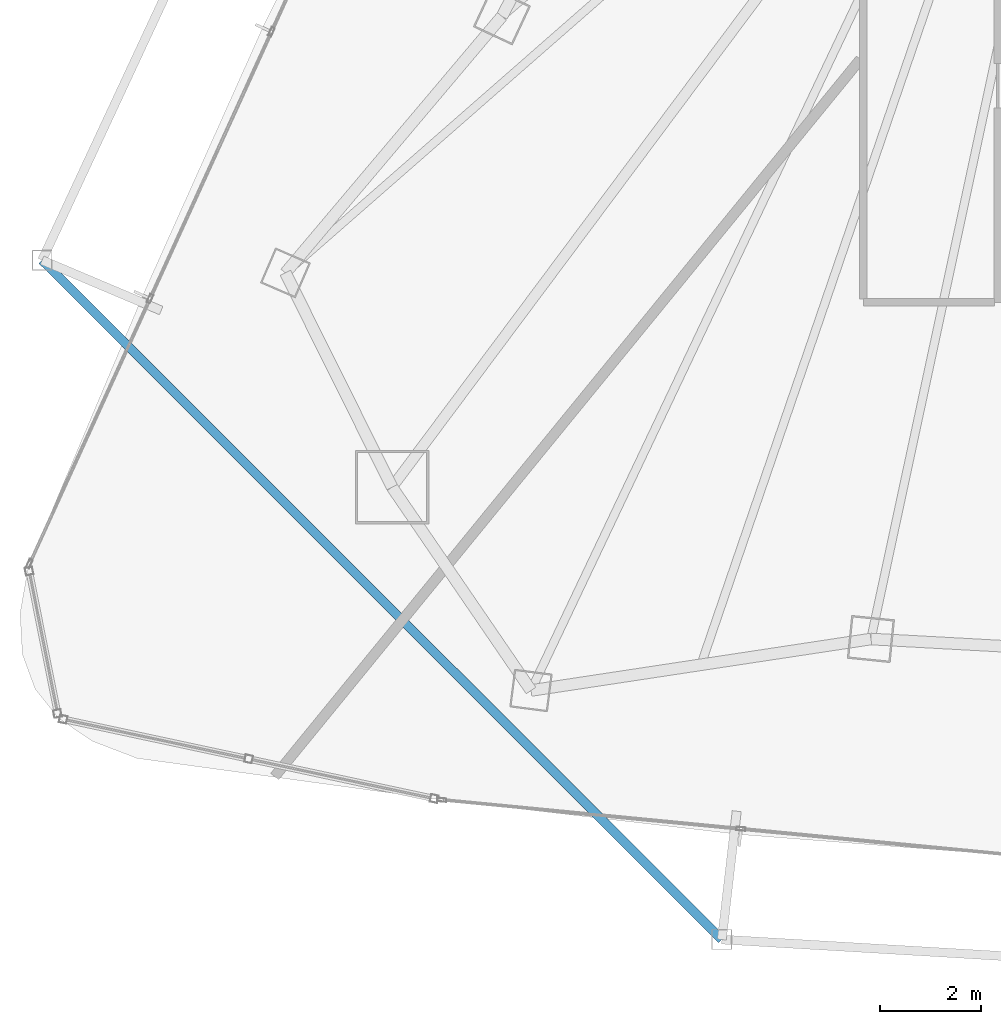
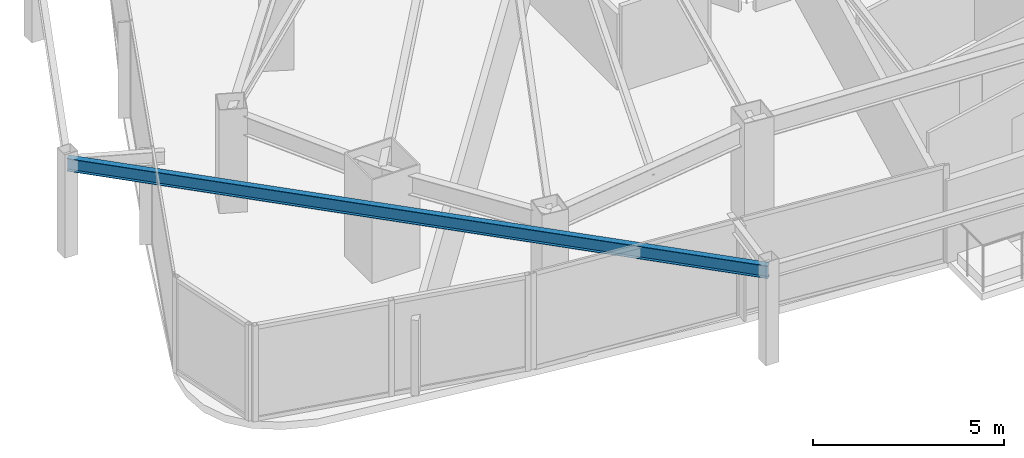
# One storey, part 3 of 33: 1 beam.
"""IFC4 building model written with IfcOpenShell, lengths in metres."""

from ifc_helpers import new_model, si_unit, direction, frame, origin, origin_2d, place, context, subcontext, project, spatial, i_section, extrude, material, material_profile, profile_set, type_object, element, save


model = new_model("IFC4")

# Units and contexts
model_context = context("Model", 3, precision=1e-05, world=origin(), true_north=direction((0.0, 1.0)))
body_context = subcontext(model_context, "Body", "Model", "MODEL_VIEW")
ifc_project = project(units=[si_unit("LENGTHUNIT", "METRE"), si_unit("AREAUNIT", "SQUARE_METRE"), si_unit("VOLUMEUNIT", "CUBIC_METRE"), si_unit("PLANEANGLEUNIT", "RADIAN"), si_unit("MASSUNIT", "GRAM", prefix="KILO")], contexts=[model_context])

# Site, building, storey
site_placement = place(None, origin())
site = spatial("IfcSite", under=ifc_project, at=site_placement, CompositionType="ELEMENT")
building_placement = place(site_placement, origin())
building = spatial("IfcBuilding", under=site, at=building_placement, Name="Orvanel Arch Residences", CompositionType="ELEMENT")
storey_placement = place(building_placement, frame((0.0, 0.0, 119.89990234375)))
storey = spatial("IfcBuildingStorey", under=building, at=storey_placement, Name="L33", CompositionType="ELEMENT", Elevation=119.89990234375)

# Beam
ifc_material = material(Name="Structural steel AS/NZS 3679.1 Grade 300 (300 MPa)", Category="steel")
ifc_material_profile = material_profile(ifc_material, i_section(OverallWidth=0.177978515625, OverallDepth=0.406005859375, WebThickness=0.0078125, FlangeThickness=0.0126953125, at=origin_2d()), Name="410UB59.7")
ifc_profile_set = profile_set([ifc_material_profile], Name="Structural steel AS/NZS 3679.1 Grade 300 (300 MPa)")
beam_type = type_object("IfcBeamType", Name="OB-410UB-EXT", PredefinedType="SPANDREL", material=ifc_profile_set)
beam_placement = place(storey_placement, frame((7.29296875, 14.830078125, 2.857177734375), z_axis=(0.707319161305, -0.70689433726, 0.0), x_axis=(0.70689433726, 0.707319161305, 0.0)))
element("IfcBeam", 1, at=beam_placement, inside=storey, type_object=beam_type, Name="L33 Outer Perimeter Floor Ring Beam 04", PredefinedType="SPANDREL", context=body_context, shape_type="SweptSolid", body=[
    extrude(i_section(OverallWidth=0.177978515625, OverallDepth=0.406005859375, WebThickness=0.0078125, FlangeThickness=0.0126953125, at=origin_2d()), origin(), (0.0, 0.0, 1.0), 18.964599609375),
])

save(model, "model.ifc")
